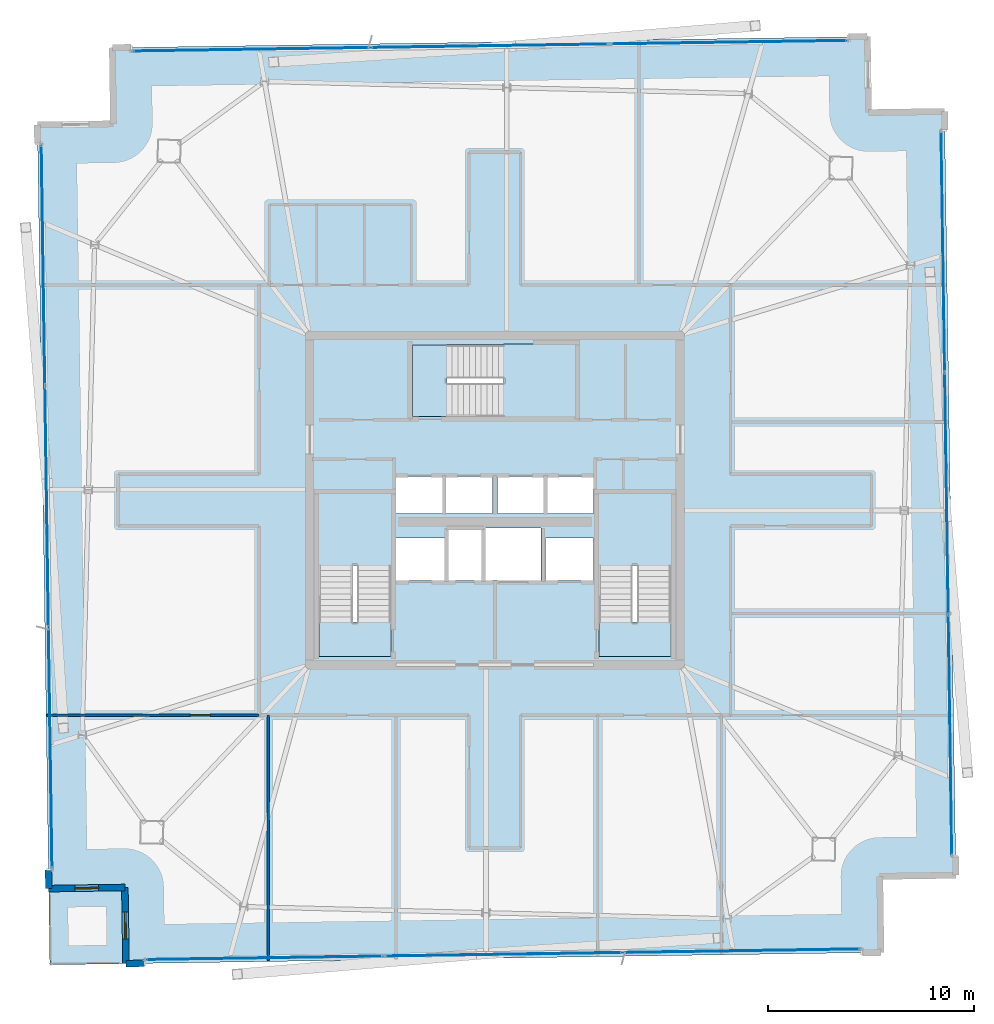
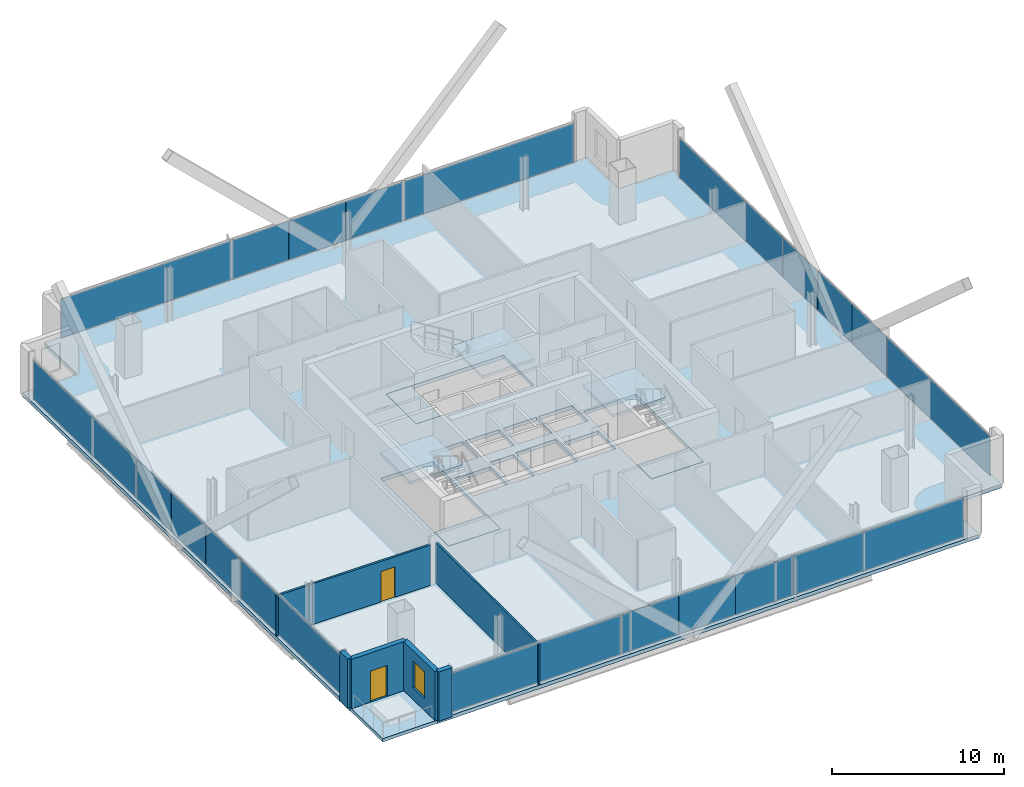
# One storey, part 19 of 25: 20 plates, 8 slabs, 6 walls, 2 doors, 1 window, 3 openings, 7 elements without a shape of their own.
"""IFC4 building model written with IfcOpenShell, lengths in metres."""

from ifc_helpers import new_model, si_unit, direction, frame, frame_2d, origin, origin_2d, place, context, subcontext, project, spatial, polyline, rectangle, outline, extrude, source, transform, mapped, material, layer, layer_set, type_object, element, fill, aggregate, save


model = new_model("IFC4")

# Units and contexts
model_context = context("Model", 3, precision=1e-05, world=origin(), true_north=direction((0.0, 1.0)))
body_context = subcontext(model_context, "Body", "Model", "MODEL_VIEW")
ifc_project = project(units=[si_unit("LENGTHUNIT", "METRE"), si_unit("AREAUNIT", "SQUARE_METRE"), si_unit("VOLUMEUNIT", "CUBIC_METRE"), si_unit("PLANEANGLEUNIT", "RADIAN"), si_unit("MASSUNIT", "GRAM", prefix="KILO")], contexts=[model_context])

# Site, building, storey
site_placement = place(None, origin())
site = spatial("IfcSite", under=ifc_project, at=site_placement, CompositionType="ELEMENT")
building_placement = place(site_placement, origin())
building = spatial("IfcBuilding", under=site, at=building_placement, Name="Haldenkirk Collegiate Tower", CompositionType="ELEMENT")
storey_placement = place(building_placement, frame((0.0, 0.0, 332.699951171875)))
storey = spatial("IfcBuildingStorey", under=building, at=storey_placement, Name="L84", CompositionType="ELEMENT", Elevation=332.699951171875)

# Slab
ifc_material_1 = material(Name="Concrete f'c 40 MPa", Category="concrete")
ifc_layer_1 = layer(ifc_material_1, 0.260009765625)
ifc_layer_set_1 = layer_set([ifc_layer_1], Name="Concrete f'c 40 MPa")
slab_type_1 = type_object("IfcSlabType", Name="SLB-FLR-260", PredefinedType="FLOOR", material=ifc_layer_set_1)
slab_1_placement = place(storey_placement, frame((0.0, 0.0, -0.260009765625)))
element("IfcSlab", 1, at=slab_1_placement, inside=storey, type_object=slab_type_1, Name="L84 composite structural floor slab", PredefinedType="FLOOR", context=body_context, shape_type="SweptSolid", body=[
    extrude(outline(polyline([(58.397705078125, 7.7802734375), (57.847412109375, 44.876220703125), (54.147705078125, 44.8212890625), (54.093017578125, 48.52099609375), (17.421875, 47.976806640625), (17.476806640625, 44.277099609375), (13.777099609375, 44.222412109375), (14.32763671875, 7.12646484375), (18.027099609375, 7.181396484375), (18.08203125, 3.481689453125), (54.7529296875, 4.02587890625), (54.6982421875, 7.725341796875), (58.397705078125, 7.7802734375)]), holes=[polyline([(27.449951171875, 18.39990234375), (30.949951171875, 18.39990234375), (30.949951171875, 26.300048828125), (27.449951171875, 26.300048828125), (27.449951171875, 18.39990234375)]), polyline([(41.050048828125, 18.39990234375), (44.550048828125, 18.39990234375), (44.550048828125, 26.300048828125), (41.050048828125, 26.300048828125), (41.050048828125, 18.39990234375)]), polyline([(32.0, 30.050048828125), (39.89990234375, 30.050048828125), (39.89990234375, 33.550048828125), (32.0, 33.550048828125), (32.0, 30.050048828125)]), polyline([(33.75, 22.10009765625), (35.35009765625, 22.10009765625), (35.35009765625, 24.550048828125), (33.75, 24.550048828125), (33.75, 22.10009765625)]), polyline([(31.199951171875, 25.35009765625), (33.47998046875, 25.35009765625), (33.47998046875, 27.14990234375), (31.199951171875, 27.14990234375), (31.199951171875, 25.35009765625)]), polyline([(33.60009765625, 25.35009765625), (35.8798828125, 25.35009765625), (35.8798828125, 27.14990234375), (33.60009765625, 27.14990234375), (33.60009765625, 25.35009765625)]), polyline([(36.1201171875, 25.35009765625), (38.39990234375, 25.35009765625), (38.39990234375, 27.14990234375), (36.1201171875, 27.14990234375), (36.1201171875, 25.35009765625)]), polyline([(38.52001953125, 25.35009765625), (40.800048828125, 25.35009765625), (40.800048828125, 27.14990234375), (38.52001953125, 27.14990234375), (38.52001953125, 25.35009765625)]), polyline([(31.199951171875, 22.10009765625), (33.550048828125, 22.10009765625), (33.550048828125, 24.14990234375), (31.199951171875, 24.14990234375), (31.199951171875, 22.10009765625)]), polyline([(38.449951171875, 22.10009765625), (40.800048828125, 22.10009765625), (40.800048828125, 24.14990234375), (38.449951171875, 24.14990234375), (38.449951171875, 22.10009765625)]), polyline([(35.550048828125, 22.10009765625), (38.25, 22.10009765625), (38.25, 24.64990234375), (35.550048828125, 24.64990234375), (35.550048828125, 22.10009765625)])]), origin(), (0.0, 0.0, 1.0), 0.260009765625),
])

# Stair, slab
stair_type = type_object("IfcStairType", Name="STR-DOGLEG-1650", PredefinedType="HALF_TURN_STAIR", material=ifc_material_1)
stair_1_placement = place(storey_placement, origin())
stair_1 = element("IfcStair", 2, at=stair_1_placement, inside=storey, type_object=stair_type, Name="L84 Core Exit Stair ST-1", PredefinedType="HALF_TURN_STAIR")
ifc_layer_2 = layer(ifc_material_1, 0.199951171875)
ifc_layer_set_2 = layer_set([ifc_layer_2], Name="Concrete f'c 40 MPa")
slab_type_2 = type_object("IfcSlabType", Name="SLB-LANDING-200", PredefinedType="LANDING", material=ifc_layer_set_2)
slab_2_placement = place(storey_placement, frame((0.0, 0.0, 1.675048828125)))
slab_2 = element("IfcSlab", 3, at=slab_2_placement, type_object=slab_type_2, Name="ST-1 landing 1", PredefinedType="LANDING", context=body_context, shape_type="SweptSolid", body=[
    extrude(outline(polyline([(30.97509765625, 22.824951171875), (27.425048828125, 22.824951171875), (27.425048828125, 26.324951171875), (30.97509765625, 26.324951171875), (30.97509765625, 22.824951171875)])), origin(), (0.0, 0.0, 1.0), 0.199951171875),
])
aggregate(stair_1, [slab_2])

stair_2_placement = place(storey_placement, origin())
stair_2 = element("IfcStair", 4, at=stair_2_placement, inside=storey, type_object=stair_type, Name="L84 Core Exit Stair ST-2", PredefinedType="HALF_TURN_STAIR")
slab_3_placement = place(storey_placement, frame((0.0, 0.0, 1.675048828125)))
slab_3 = element("IfcSlab", 5, at=slab_3_placement, type_object=slab_type_2, Name="ST-2 landing 1", PredefinedType="LANDING", context=body_context, shape_type="SweptSolid", body=[
    extrude(outline(polyline([(44.574951171875, 22.824951171875), (41.02490234375, 22.824951171875), (41.02490234375, 26.324951171875), (44.574951171875, 26.324951171875), (44.574951171875, 22.824951171875)])), origin(), (0.0, 0.0, 1.0), 0.199951171875),
])
aggregate(stair_2, [slab_3])

stair_3_placement = place(storey_placement, origin())
stair_3 = element("IfcStair", 6, at=stair_3_placement, inside=storey, type_object=stair_type, Name="L84 Core Exit Stair ST-3", PredefinedType="HALF_TURN_STAIR")
slab_4_placement = place(storey_placement, frame((0.0, 0.0, 1.675048828125)))
slab_4 = element("IfcSlab", 7, at=slab_4_placement, type_object=slab_type_2, Name="ST-3 landing 1", PredefinedType="LANDING", context=body_context, shape_type="SweptSolid", body=[
    extrude(outline(polyline([(36.425048828125, 30.02490234375), (36.425048828125, 33.574951171875), (39.925048828125, 33.574951171875), (39.925048828125, 30.02490234375), (36.425048828125, 30.02490234375)])), origin(), (0.0, 0.0, 1.0), 0.199951171875),
])
aggregate(stair_3, [slab_4])

# Slabs
ifc_layer_3 = layer(ifc_material_1, 0.25)
ifc_layer_set_3 = layer_set([ifc_layer_3], Name="Concrete f'c 40 MPa")
slab_type_3 = type_object("IfcSlabType", Name="SLB-STAIRLAND-250", PredefinedType="LANDING", material=ifc_layer_set_3)
slab_5_placement = place(storey_placement, frame((0.0, 0.0, -0.25)))
element("IfcSlab", 8, at=slab_5_placement, inside=storey, type_object=slab_type_3, Name="L84 stair ST1 structural floor landing slab", PredefinedType="LANDING", context=body_context, shape_type="SweptSolid", body=[
    extrude(outline(polyline([(27.4599609375, 18.409912109375), (30.93994140625, 18.409912109375), (30.93994140625, 20.080078125), (27.4599609375, 20.080078125), (27.4599609375, 18.409912109375)])), origin(), (0.0, 0.0, 1.0), 0.25),
])
slab_6_placement = place(storey_placement, frame((0.0, 0.0, -0.25)))
element("IfcSlab", 9, at=slab_6_placement, inside=storey, type_object=slab_type_3, Name="L84 stair ST2 structural floor landing slab", PredefinedType="LANDING", context=body_context, shape_type="SweptSolid", body=[
    extrude(outline(polyline([(41.06005859375, 18.409912109375), (44.5400390625, 18.409912109375), (44.5400390625, 20.080078125), (41.06005859375, 20.080078125), (41.06005859375, 18.409912109375)])), origin(), (0.0, 0.0, 1.0), 0.25),
])
slab_7_placement = place(storey_placement, frame((0.0, 0.0, -0.25)))
element("IfcSlab", 10, at=slab_7_placement, inside=storey, type_object=slab_type_3, Name="L84 stair ST3 structural floor landing slab", PredefinedType="LANDING", context=body_context, shape_type="SweptSolid", body=[
    extrude(outline(polyline([(32.010009765625, 30.06005859375), (33.679931640625, 30.06005859375), (33.679931640625, 33.5400390625), (32.010009765625, 33.5400390625), (32.010009765625, 30.06005859375)])), origin(), (0.0, 0.0, 1.0), 0.25),
])
ifc_layer_4 = layer(ifc_material_1, 0.22998046875)
ifc_layer_set_4 = layer_set([ifc_layer_4], Name="Concrete f'c 40 MPa")
slab_type_4 = type_object("IfcSlabType", Name="SLB-TERR-SPIRAL-230", PredefinedType="FLOOR", material=ifc_layer_set_4)
slab_8_placement = place(storey_placement, frame((0.0, 0.0, -0.22998046875)))
element("IfcSlab", 11, at=slab_8_placement, inside=storey, type_object=slab_type_4, Name="L84 spiralling corner terrace slab", PredefinedType="FLOOR", context=body_context, shape_type="SweptSolid", body=[
    extrude(outline(polyline([(18.08203125, 3.481689453125), (18.027099609375, 7.181396484375), (14.32763671875, 7.12646484375), (14.382568359375, 3.4267578125), (18.08203125, 3.481689453125)])), origin(), (0.0, 0.0, 1.0), 0.22998046875),
])

# Curtain wall, plates
ifc_material_2 = material(Name="Anodised architectural bronze aluminium", Category="aluminium")
curtain_wall_type_1 = type_object("IfcCurtainWallType", Name="CW-SYS2-CONCAVE", PredefinedType="USERDEFINED", material=ifc_material_2)
curtain_wall_1_placement = place(storey_placement, origin())
curtain_wall_1 = element("IfcCurtainWall", 12, at=curtain_wall_1_placement, inside=storey, type_object=curtain_wall_type_1, Name="L84 South concave recessed bronze-anodised curtain wall", ObjectType="UNITISED CURTAIN WALL", PredefinedType="USERDEFINED")
ifc_material_3 = material(Name="Bronze-anodised insulated aluminium spandrel panel", Category="aluminium")
ifc_layer_5 = layer(ifc_material_3, 0.0419921875)
ifc_layer_set_5 = layer_set([ifc_layer_5], Name="Bronze-anodised insulated aluminium spandrel panel")
plate_type_1 = type_object("IfcPlateType", Name="CW-SPD-02", PredefinedType="CURTAIN_PANEL", material=ifc_layer_set_5)
shared_shape_1 = source(origin(), body_context, "Body", "SweptSolid", [
    extrude(rectangle(XDim=3.872314453125, YDim=0.0419921875, at=origin_2d()), origin(), (0.0, 0.0, 1.0), 2.798095703125),
])
plate_1_placement = place(storey_placement, frame((57.942626953125, 26.32568359375, 0.0751953125), z_axis=(0.0, 0.0, 1.0), x_axis=(0.014832868138, -0.99988998696, 0.0)))
plate_1 = element("IfcPlate", 13, at=plate_1_placement, type_object=plate_type_1, Name="CW-02 spandrel panel 2.1b", PredefinedType="CURTAIN_PANEL", context=body_context, shape_type="MappedRepresentation", body=[
    mapped(shared_shape_1, transform((0.0, 0.0, 0.0), x_axis=(1.0, 0.0, 0.0), y_axis=(0.0, 1.0, 0.0), z_axis=(0.0, 0.0, 1.0), scale=1.0)),
])
shared_shape_2 = source(origin(), body_context, "Body", "SweptSolid", [
    extrude(rectangle(XDim=3.884765625, YDim=0.0419921875, at=origin_2d()), origin(), (0.0, 0.0, 1.0), 2.798095703125),
])
plate_2_placement = place(storey_placement, frame((57.884765625, 30.228515625, 0.0751953125), z_axis=(0.0, 0.0, 1.0), x_axis=(0.014832868138, -0.99988998696, 0.0)))
plate_2 = element("IfcPlate", 14, at=plate_2_placement, type_object=plate_type_1, Name="CW-02 spandrel panel 2.1a", PredefinedType="CURTAIN_PANEL", context=body_context, shape_type="MappedRepresentation", body=[
    mapped(shared_shape_2, transform((0.0, 0.0, 0.0), x_axis=(1.0, 0.0, 0.0), y_axis=(0.0, 1.0, 0.0), z_axis=(0.0, 0.0, 1.0), scale=1.0)),
])
plate_3_placement = place(storey_placement, frame((58.00048828125, 22.422607421875, 0.0751953125), z_axis=(0.0, 0.0, 1.0), x_axis=(0.014832868138, -0.99988998696, 0.0)))
plate_3 = element("IfcPlate", 15, at=plate_3_placement, type_object=plate_type_1, Name="CW-02 spandrel panel 2.1c", PredefinedType="CURTAIN_PANEL", context=body_context, shape_type="MappedRepresentation", body=[
    mapped(shared_shape_2, transform((0.0, 0.0, 0.0), x_axis=(1.0, 0.0, 0.0), y_axis=(0.0, 1.0, 0.0), z_axis=(0.0, 0.0, 1.0), scale=1.0)),
])

curtain_wall_type_2 = type_object("IfcCurtainWallType", Name="CW-SYS1B-CONVEX-HI", PredefinedType="USERDEFINED", material=ifc_material_2)
curtain_wall_2_placement = place(storey_placement, origin())
curtain_wall_2 = element("IfcCurtainWall", 16, at=curtain_wall_2_placement, inside=storey, type_object=curtain_wall_type_2, Name="L84 Upper tower high-wind convex bronze unitised curtain wall", ObjectType="UNITISED CURTAIN WALL", PredefinedType="USERDEFINED")
ifc_layer_6 = layer(ifc_material_3, 0.048095703125)
ifc_layer_set_6 = layer_set([ifc_layer_6], Name="Bronze-anodised insulated aluminium spandrel panel")
plate_type_2 = type_object("IfcPlateType", Name="CW-SPD-1B", PredefinedType="CURTAIN_PANEL", material=ifc_layer_set_6)
shared_shape_3 = source(origin(), body_context, "Body", "SweptSolid", [
    extrude(rectangle(XDim=3.834228515625, YDim=0.048095703125, at=origin_2d()), origin(), (0.0, 0.0, 1.0), 2.778076171875),
])
plate_4_placement = place(storey_placement, frame((31.90771484375, 48.01171875, 0.0849609375), z_axis=(0.0, 0.0, 1.0), x_axis=(0.999889985608, 0.014832959269, 0.0)))
plate_4 = element("IfcPlate", 17, at=plate_4_placement, type_object=plate_type_2, Name="CW-1B spandrel panel 2.1a", PredefinedType="CURTAIN_PANEL", context=body_context, shape_type="MappedRepresentation", body=[
    mapped(shared_shape_3, transform((0.0, 0.0, 0.0), x_axis=(1.0, 0.0, 0.0), y_axis=(0.0, 1.0, 0.0), z_axis=(0.0, 0.0, 1.0), scale=1.0)),
])
plate_5_placement = place(storey_placement, frame((39.612548828125, 48.1259765625, 0.0849609375), z_axis=(0.0, 0.0, 1.0), x_axis=(0.999889985608, 0.014832959269, 0.0)))
plate_5 = element("IfcPlate", 18, at=plate_5_placement, type_object=plate_type_2, Name="CW-1B spandrel panel 2.1c", PredefinedType="CURTAIN_PANEL", context=body_context, shape_type="MappedRepresentation", body=[
    mapped(shared_shape_3, transform((0.0, 0.0, 0.0), x_axis=(1.0, 0.0, 0.0), y_axis=(0.0, 1.0, 0.0), z_axis=(0.0, 0.0, 1.0), scale=1.0)),
])

curtain_wall_3_placement = place(storey_placement, origin())
curtain_wall_3 = element("IfcCurtainWall", 19, at=curtain_wall_3_placement, inside=storey, type_object=curtain_wall_type_2, Name="L84 Upper tower high-wind convex bronze unitised curtain wall", ObjectType="UNITISED CURTAIN WALL", PredefinedType="USERDEFINED")
plate_6_placement = place(storey_placement, frame((40.267333984375, 3.990966796875, 0.0849609375), z_axis=(0.0, 0.0, 1.0), x_axis=(-0.999889984977, -0.014833001798, 0.0)))
plate_6 = element("IfcPlate", 20, at=plate_6_placement, type_object=plate_type_2, Name="CW-1B spandrel panel 2.1a", PredefinedType="CURTAIN_PANEL", context=body_context, shape_type="MappedRepresentation", body=[
    mapped(shared_shape_3, transform((0.0, 0.0, 0.0), x_axis=(1.0, 0.0, 0.0), y_axis=(0.0, 1.0, 0.0), z_axis=(0.0, 0.0, 1.0), scale=1.0)),
])
plate_7_placement = place(storey_placement, frame((32.5625, 3.876708984375, 0.0849609375), z_axis=(0.0, 0.0, 1.0), x_axis=(-0.999889984977, -0.014833001798, 0.0)))
plate_7 = element("IfcPlate", 21, at=plate_7_placement, type_object=plate_type_2, Name="CW-1B spandrel panel 2.1c", PredefinedType="CURTAIN_PANEL", context=body_context, shape_type="MappedRepresentation", body=[
    mapped(shared_shape_3, transform((0.0, 0.0, 0.0), x_axis=(1.0, 0.0, 0.0), y_axis=(0.0, 1.0, 0.0), z_axis=(0.0, 0.0, 1.0), scale=1.0)),
])

# Plate
shared_shape_4 = source(origin(), body_context, "Body", "SweptSolid", [
    extrude(rectangle(XDim=3.82177734375, YDim=0.048095703125, at=origin_2d()), origin(), (0.0, 0.0, 1.0), 2.778076171875),
])
plate_8_placement = place(storey_placement, frame((35.760009765625, 48.06884765625, 0.0849609375), z_axis=(0.0, 0.0, 1.0), x_axis=(0.999889985608, 0.014832959269, 0.0)))
plate_8 = element("IfcPlate", 22, at=plate_8_placement, type_object=plate_type_2, Name="CW-1B spandrel panel 2.1b", PredefinedType="CURTAIN_PANEL", context=body_context, shape_type="MappedRepresentation", body=[
    mapped(shared_shape_4, transform((0.0, 0.0, 0.0), x_axis=(1.0, 0.0, 0.0), y_axis=(0.0, 1.0, 0.0), z_axis=(0.0, 0.0, 1.0), scale=1.0)),
])

plate_9_placement = place(storey_placement, frame((36.414794921875, 3.933837890625, 0.0849609375), z_axis=(0.0, 0.0, 1.0), x_axis=(-0.999889984977, -0.014833001798, 0.0)))
plate_9 = element("IfcPlate", 23, at=plate_9_placement, type_object=plate_type_2, Name="CW-1B spandrel panel 2.1b", PredefinedType="CURTAIN_PANEL", context=body_context, shape_type="MappedRepresentation", body=[
    mapped(shared_shape_4, transform((0.0, 0.0, 0.0), x_axis=(1.0, 0.0, 0.0), y_axis=(0.0, 1.0, 0.0), z_axis=(0.0, 0.0, 1.0), scale=1.0)),
])

# Curtain wall, plates
curtain_wall_4_placement = place(storey_placement, origin())
curtain_wall_4 = element("IfcCurtainWall", 24, at=curtain_wall_4_placement, inside=storey, type_object=curtain_wall_type_2, Name="L84 Upper tower high-wind convex bronze unitised curtain wall", ObjectType="UNITISED CURTAIN WALL", PredefinedType="USERDEFINED")
shared_shape_5 = source(origin(), body_context, "Body", "SweptSolid", [
    extrude(rectangle(XDim=3.88134765625, YDim=0.048095703125, at=origin_2d()), origin(), (0.0, 0.0, 1.0), 2.778076171875),
])
plate_10_placement = place(storey_placement, frame((14.290283203125, 21.77734375, 0.0849609375), z_axis=(0.0, 0.0, 1.0), x_axis=(-0.014832868138, 0.99988998696, 0.0)))
plate_10 = element("IfcPlate", 25, at=plate_10_placement, type_object=plate_type_2, Name="CW-1B spandrel panel 2.1a", PredefinedType="CURTAIN_PANEL", context=body_context, shape_type="MappedRepresentation", body=[
    mapped(shared_shape_5, transform((0.0, 0.0, 0.0), x_axis=(1.0, 0.0, 0.0), y_axis=(0.0, 1.0, 0.0), z_axis=(0.0, 0.0, 1.0), scale=1.0)),
])
plate_11_placement = place(storey_placement, frame((14.174560546875, 29.576904296875, 0.0849609375), z_axis=(0.0, 0.0, 1.0), x_axis=(-0.014832868138, 0.99988998696, 0.0)))
plate_11 = element("IfcPlate", 26, at=plate_11_placement, type_object=plate_type_2, Name="CW-1B spandrel panel 2.1c", PredefinedType="CURTAIN_PANEL", context=body_context, shape_type="MappedRepresentation", body=[
    mapped(shared_shape_5, transform((0.0, 0.0, 0.0), x_axis=(1.0, 0.0, 0.0), y_axis=(0.0, 1.0, 0.0), z_axis=(0.0, 0.0, 1.0), scale=1.0)),
])
shared_shape_6 = source(origin(), body_context, "Body", "SweptSolid", [
    extrude(rectangle(XDim=3.868896484375, YDim=0.048095703125, at=origin_2d()), origin(), (0.0, 0.0, 1.0), 2.778076171875),
])
plate_12_placement = place(storey_placement, frame((14.232421875, 25.677001953125, 0.0849609375), z_axis=(0.0, 0.0, 1.0), x_axis=(-0.014832868138, 0.99988998696, 0.0)))
plate_12 = element("IfcPlate", 27, at=plate_12_placement, type_object=plate_type_2, Name="CW-1B spandrel panel 2.1b", PredefinedType="CURTAIN_PANEL", context=body_context, shape_type="MappedRepresentation", body=[
    mapped(shared_shape_6, transform((0.0, 0.0, 0.0), x_axis=(1.0, 0.0, 0.0), y_axis=(0.0, 1.0, 0.0), z_axis=(0.0, 0.0, 1.0), scale=1.0)),
])

# Plate
ifc_material_4 = material(Name="Low-E argon triple insulating glass", Category="glass")
ifc_layer_7 = layer(ifc_material_4, 0.0419921875)
ifc_layer_set_7 = layer_set([ifc_layer_7], Name="Low-E argon triple insulating glass")
plate_type_3 = type_object("IfcPlateType", Name="CW-PNL-02", PredefinedType="CURTAIN_PANEL", material=ifc_layer_set_7)
shared_shape_7 = source(origin(), body_context, "Body", "SweptSolid", [
    extrude(rectangle(XDim=11.654052734375, YDim=0.0419921875, at=origin_2d()), origin(), (0.0, 0.0, 1.0), 2.798095703125),
])
plate_13_placement = place(storey_placement, frame((57.768310546875, 38.072265625, 0.0751953125), z_axis=(0.0, 0.0, 1.0), x_axis=(0.014832868138, -0.99988998696, 0.0)))
plate_13 = element("IfcPlate", 28, at=plate_13_placement, type_object=plate_type_3, Name="CW-02 panel 1.1", PredefinedType="CURTAIN_PANEL", context=body_context, shape_type="MappedRepresentation", body=[
    mapped(shared_shape_7, transform((0.0, 0.0, 0.0), x_axis=(1.0, 0.0, 0.0), y_axis=(0.0, 1.0, 0.0), z_axis=(0.0, 0.0, 1.0), scale=1.0)),
])

plate_14_placement = place(storey_placement, frame((58.116943359375, 14.578857421875, 0.0751953125), z_axis=(0.0, 0.0, 1.0), x_axis=(0.014832868138, -0.99988998696, 0.0)))
plate_14 = element("IfcPlate", 29, at=plate_14_placement, type_object=plate_type_3, Name="CW-02 panel 3.1", PredefinedType="CURTAIN_PANEL", context=body_context, shape_type="MappedRepresentation", body=[
    mapped(shared_shape_7, transform((0.0, 0.0, 0.0), x_axis=(1.0, 0.0, 0.0), y_axis=(0.0, 1.0, 0.0), z_axis=(0.0, 0.0, 1.0), scale=1.0)),
])

aggregate(curtain_wall_1, [plate_13, plate_2, plate_1, plate_3, plate_14])

ifc_layer_8 = layer(ifc_material_4, 0.048095703125)
ifc_layer_set_8 = layer_set([ifc_layer_8], Name="Low-E argon triple insulating glass")
plate_type_4 = type_object("IfcPlateType", Name="CW-PNL-1B", PredefinedType="CURTAIN_PANEL", material=ifc_layer_set_8)
shared_shape_8 = source(origin(), body_context, "Body", "SweptSolid", [
    extrude(rectangle(XDim=11.49755859375, YDim=0.048095703125, at=origin_2d()), origin(), (0.0, 0.0, 1.0), 2.778076171875),
])
plate_15_placement = place(storey_placement, frame((24.15771484375, 47.896728515625, 0.0849609375), z_axis=(0.0, 0.0, 1.0), x_axis=(0.999889985608, 0.014832959269, 0.0)))
plate_15 = element("IfcPlate", 30, at=plate_15_placement, type_object=plate_type_4, Name="CW-1B panel 1.1", PredefinedType="CURTAIN_PANEL", context=body_context, shape_type="MappedRepresentation", body=[
    mapped(shared_shape_8, transform((0.0, 0.0, 0.0), x_axis=(1.0, 0.0, 0.0), y_axis=(0.0, 1.0, 0.0), z_axis=(0.0, 0.0, 1.0), scale=1.0)),
])

plate_16_placement = place(storey_placement, frame((47.362548828125, 48.240966796875, 0.0849609375), z_axis=(0.0, 0.0, 1.0), x_axis=(0.999889985608, 0.014832959269, 0.0)))
plate_16 = element("IfcPlate", 31, at=plate_16_placement, type_object=plate_type_4, Name="CW-1B panel 3.1", PredefinedType="CURTAIN_PANEL", context=body_context, shape_type="MappedRepresentation", body=[
    mapped(shared_shape_8, transform((0.0, 0.0, 0.0), x_axis=(1.0, 0.0, 0.0), y_axis=(0.0, 1.0, 0.0), z_axis=(0.0, 0.0, 1.0), scale=1.0)),
])

aggregate(curtain_wall_2, [plate_15, plate_4, plate_8, plate_5, plate_16])

plate_17_placement = place(storey_placement, frame((48.017333984375, 4.10595703125, 0.0849609375), z_axis=(0.0, 0.0, 1.0), x_axis=(-0.999889984977, -0.014833001798, 0.0)))
plate_17 = element("IfcPlate", 32, at=plate_17_placement, type_object=plate_type_4, Name="CW-1B panel 1.1", PredefinedType="CURTAIN_PANEL", context=body_context, shape_type="MappedRepresentation", body=[
    mapped(shared_shape_8, transform((0.0, 0.0, 0.0), x_axis=(1.0, 0.0, 0.0), y_axis=(0.0, 1.0, 0.0), z_axis=(0.0, 0.0, 1.0), scale=1.0)),
])

plate_18_placement = place(storey_placement, frame((24.8125, 3.76171875, 0.0849609375), z_axis=(0.0, 0.0, 1.0), x_axis=(-0.999889984977, -0.014833001798, 0.0)))
plate_18 = element("IfcPlate", 33, at=plate_18_placement, type_object=plate_type_4, Name="CW-1B panel 3.1", PredefinedType="CURTAIN_PANEL", context=body_context, shape_type="MappedRepresentation", body=[
    mapped(shared_shape_8, transform((0.0, 0.0, 0.0), x_axis=(1.0, 0.0, 0.0), y_axis=(0.0, 1.0, 0.0), z_axis=(0.0, 0.0, 1.0), scale=1.0)),
])

aggregate(curtain_wall_3, [plate_17, plate_6, plate_9, plate_7, plate_18])

shared_shape_9 = source(origin(), body_context, "Body", "SweptSolid", [
    extrude(rectangle(XDim=11.63916015625, YDim=0.048095703125, at=origin_2d()), origin(), (0.0, 0.0, 1.0), 2.778076171875),
])
plate_19_placement = place(storey_placement, frame((14.40673828125, 13.932861328125, 0.0849609375), z_axis=(0.0, 0.0, 1.0), x_axis=(-0.014832868138, 0.99988998696, 0.0)))
plate_19 = element("IfcPlate", 34, at=plate_19_placement, type_object=plate_type_4, Name="CW-1B panel 1.1", PredefinedType="CURTAIN_PANEL", context=body_context, shape_type="MappedRepresentation", body=[
    mapped(shared_shape_9, transform((0.0, 0.0, 0.0), x_axis=(1.0, 0.0, 0.0), y_axis=(0.0, 1.0, 0.0), z_axis=(0.0, 0.0, 1.0), scale=1.0)),
])

plate_20_placement = place(storey_placement, frame((14.05810546875, 37.421142578125, 0.0849609375), z_axis=(0.0, 0.0, 1.0), x_axis=(-0.014832868138, 0.99988998696, 0.0)))
plate_20 = element("IfcPlate", 35, at=plate_20_placement, type_object=plate_type_4, Name="CW-1B panel 3.1", PredefinedType="CURTAIN_PANEL", context=body_context, shape_type="MappedRepresentation", body=[
    mapped(shared_shape_9, transform((0.0, 0.0, 0.0), x_axis=(1.0, 0.0, 0.0), y_axis=(0.0, 1.0, 0.0), z_axis=(0.0, 0.0, 1.0), scale=1.0)),
])

aggregate(curtain_wall_4, [plate_19, plate_10, plate_12, plate_11, plate_20])

# Wall
ifc_material_5 = material(Name="Precast concrete f'c 40 MPa", Category="concrete")
ifc_layer_9 = layer(ifc_material_5, 0.320068359375)
ifc_layer_set_9 = layer_set([ifc_layer_9], Name="Precast concrete f'c 40 MPa")
wall_type_1 = type_object("IfcWallType", Name="WL-EXT-TWR-320", PredefinedType="STANDARD", material=ifc_layer_set_9)
wall_1_placement = place(storey_placement, frame((14.32763671875, 7.12646484375, 0.0), z_axis=(0.0, 0.0, 1.0), x_axis=(-0.01491966312, 0.999888695632, 0.0)))
element("IfcWall", 36, at=wall_1_placement, inside=storey, type_object=wall_type_1, Name="L84 precast corner pier NL", PredefinedType="STANDARD", context=body_context, shape_type="SweptSolid", body=[
    extrude(rectangle(XDim=0.89990234375, YDim=0.320068359375, at=frame_2d((0.449951171875, 0.0))), origin(), (0.0, 0.0, 1.0), 3.489990234375),
])

# Wall, opening, door
wall_2_placement = place(storey_placement, frame((18.027099609375, 7.181396484375, 0.0), z_axis=(0.0, 0.0, 1.0), x_axis=(-0.999889778584, -0.014846908215, 0.0)))
wall_2 = element("IfcWall", 37, at=wall_2_placement, inside=storey, type_object=wall_type_1, Name="L84 bronze precast notch wall 08", PredefinedType="STANDARD", context=body_context, shape_type="SweptSolid", body=[
    extrude(rectangle(XDim=3.699951171875, YDim=0.320068359375, at=frame_2d((1.85009765625, 0.0))), origin(), (0.0, 0.0, 1.0), 3.489990234375),
])
opening_1_placement = place(wall_2_placement, frame((1.27490234375, 0.0, 0.0)))
opening_1 = element("IfcOpeningElement", 38, at=opening_1_placement, cuts=wall_2, Name="Opening D-ST11", PredefinedType="OPENING", context=body_context, shape_type="SweptSolid", body=[
    extrude(rectangle(XDim=1.14990234375, YDim=2.199951171875, at=frame_2d((0.574951171875, 1.10009765625))), frame((0.0, 0.169921875, 0.0), z_axis=(0.0, -1.0, 0.0), x_axis=(1.0, 0.0, 0.0)), (0.0, 0.0, 1.0), 0.340087890625),
])
ifc_layer_10 = layer(ifc_material_2, 0.080078125)
ifc_layer_set_10 = layer_set([ifc_layer_10], Name="Anodised architectural bronze aluminium")
door_type_1 = type_object("IfcDoorType", Name="DR-EXT-STER-1150", OperationType="NOTDEFINED", PredefinedType="DOOR", material=ifc_layer_set_10)
door_1_placement = place(opening_1_placement, origin())
door_1 = element("IfcDoor", 39, at=door_1_placement, inside=storey, type_object=door_type_1, Name="L84 spiralling terrace door", OperationType="SINGLE_SWING_LEFT", OverallHeight=2.199951171875, OverallWidth=1.14990234375, PredefinedType="DOOR", context=body_context, shape_type="SweptSolid", body=[
    extrude(rectangle(XDim=1.14990234375, YDim=2.199951171875, at=frame_2d((0.574951171875, 1.10009765625))), frame((0.0, 0.02490234375, 0.0), z_axis=(0.0, -1.0, 0.0), x_axis=(1.0, 0.0, 0.0)), (0.0, 0.0, 1.0), 0.050048828125),
])
fill(opening_1, door_1)

# Wall, opening, window
wall_3_placement = place(storey_placement, frame((18.08203125, 3.481689453125, 0.0), z_axis=(0.0, 0.0, 1.0), x_axis=(-0.014845928696, 0.999889793128, 0.0)))
wall_3 = element("IfcWall", 40, at=wall_3_placement, inside=storey, type_object=wall_type_1, Name="L84 bronze precast notch wall 09", PredefinedType="STANDARD", context=body_context, shape_type="SweptSolid", body=[
    extrude(rectangle(XDim=3.7001953125, YDim=0.320068359375, at=frame_2d((1.85009765625, 0.0))), origin(), (0.0, 0.0, 1.0), 3.489990234375),
])
opening_2_placement = place(wall_3_placement, frame((1.199951171875, 0.0, 0.85009765625)))
opening_2 = element("IfcOpeningElement", 41, at=opening_2_placement, cuts=wall_3, Name="Opening W-08", PredefinedType="OPENING", context=body_context, shape_type="SweptSolid", body=[
    extrude(rectangle(XDim=1.300048828125, YDim=1.89990234375, at=frame_2d((0.64990234375, 0.949951171875))), frame((0.0, 0.169921875, 0.0), z_axis=(0.0, -1.0, 0.0), x_axis=(1.0, 0.0, 0.0)), (0.0, 0.0, 1.0), 0.340087890625),
])
ifc_layer_11 = layer(ifc_material_4, 0.090087890625)
ifc_layer_set_11 = layer_set([ifc_layer_11], Name="Low-E argon triple insulating glass")
window_type = type_object("IfcWindowType", Name="WN-Z6-1300X1900", PartitioningType="SINGLE_PANEL", PredefinedType="WINDOW", material=ifc_layer_set_11)
window_placement = place(opening_2_placement, origin())
window = element("IfcWindow", 42, at=window_placement, inside=storey, type_object=window_type, Name="L84 precast-frame academic window 8", OverallHeight=1.89990234375, OverallWidth=1.300048828125, PartitioningType="SINGLE_PANEL", PredefinedType="WINDOW", context=body_context, shape_type="SweptSolid", body=[
    extrude(rectangle(XDim=1.300048828125, YDim=1.89990234375, at=frame_2d((0.64990234375, 0.949951171875))), frame((0.0, 0.030029296875, 0.0), z_axis=(0.0, -1.0, 0.0), x_axis=(1.0, 0.0, 0.0)), (0.0, 0.0, 1.0), 0.06005859375),
])
fill(opening_2, window)

# Wall
wall_4_placement = place(storey_placement, frame((18.98193359375, 3.4951171875, 0.0), z_axis=(0.0, 0.0, 1.0), x_axis=(-0.999888695632, -0.01491966312, 0.0)))
element("IfcWall", 43, at=wall_4_placement, inside=storey, type_object=wall_type_1, Name="L84 precast corner pier WR", PredefinedType="STANDARD", context=body_context, shape_type="SweptSolid", body=[
    extrude(rectangle(XDim=0.89990234375, YDim=0.320068359375, at=frame_2d((0.449951171875, 0.0))), origin(), (0.0, 0.0, 1.0), 3.489990234375),
])

# Wall, opening, door
ifc_material_6 = material(Name="Acoustic fire-rated gypsum partition", Category="concrete")
ifc_layer_12 = layer(ifc_material_6, 0.139892578125)
ifc_layer_set_12 = layer_set([ifc_layer_12], Name="Acoustic fire-rated gypsum partition")
wall_type_2 = type_object("IfcWallType", Name="WL-INT-DIV-140", PredefinedType="PARTITIONING", material=ifc_layer_set_12)
wall_5_placement = place(storey_placement, frame((14.24267578125, 15.550048828125, 0.0), z_axis=(0.0, 0.0, 1.0), x_axis=(1.0, 0.0, 0.0)))
wall_5 = element("IfcWall", 44, at=wall_5_placement, inside=storey, type_object=wall_type_2, Name="L84 interior partition IW-L84-BWS", PredefinedType="PARTITIONING", context=body_context, shape_type="SweptSolid", body=[
    extrude(rectangle(XDim=10.307373046875, YDim=0.139892578125, at=frame_2d((5.15380859375, 0.0))), origin(), (0.0, 0.0, 1.0), 2.8681640625),
])
opening_3_placement = place(wall_5_placement, frame((6.972412109375, 0.0, 0.0)))
opening_3 = element("IfcOpeningElement", 45, at=opening_3_placement, cuts=wall_5, Name="Opening D-12", PredefinedType="OPENING", context=body_context, shape_type="SweptSolid", body=[
    extrude(rectangle(XDim=0.949951171875, YDim=2.14990234375, at=frame_2d((0.47509765625, 1.074951171875))), frame((0.0, 0.079833984375, 0.0), z_axis=(0.0, -1.0, 0.0), x_axis=(1.0, 0.0, 0.0)), (0.0, 0.0, 1.0), 0.159912109375),
])
ifc_material_7 = material(Name="Solid-core architectural oak fire door", Category="wood")
ifc_layer_13 = layer(ifc_material_7, 0.06005859375)
ifc_layer_set_13 = layer_set([ifc_layer_13], Name="Solid-core architectural oak fire door")
door_type_2 = type_object("IfcDoorType", Name="DR-INT-STD-950", OperationType="NOTDEFINED", PredefinedType="DOOR", material=ifc_layer_set_13)
door_2_placement = place(opening_3_placement, origin())
door_2 = element("IfcDoor", 46, at=door_2_placement, inside=storey, type_object=door_type_2, Name="L84 Wet Science Laboratory 1 door", OperationType="SINGLE_SWING_LEFT", OverallHeight=2.14990234375, OverallWidth=0.949951171875, PredefinedType="DOOR", context=body_context, shape_type="SweptSolid", body=[
    extrude(rectangle(XDim=0.949951171875, YDim=2.14990234375, at=frame_2d((0.47509765625, 1.074951171875))), frame((0.0, 0.02490234375, 0.0), z_axis=(0.0, -1.0, 0.0), x_axis=(1.0, 0.0, 0.0)), (0.0, 0.0, 1.0), 0.050048828125),
])
fill(opening_3, door_2)

# Wall
ifc_layer_14 = layer(ifc_material_6, 0.1201171875)
ifc_layer_set_14 = layer_set([ifc_layer_14], Name="Acoustic fire-rated gypsum partition")
wall_type_3 = type_object("IfcWallType", Name="WL-INT-WET-120", PredefinedType="PARTITIONING", material=ifc_layer_set_14)
wall_6_placement = place(storey_placement, frame((25.0, 3.624267578125, 0.0), z_axis=(0.0, 0.0, 1.0), x_axis=(0.0, 1.0, 0.0)))
element("IfcWall", 47, at=wall_6_placement, inside=storey, type_object=wall_type_3, Name="L84 interior partition IW-L84-RS1", PredefinedType="PARTITIONING", context=body_context, shape_type="SweptSolid", body=[
    extrude(rectangle(XDim=11.92578125, YDim=0.1201171875, at=frame_2d((5.962890625, 0.0))), origin(), (0.0, 0.0, 1.0), 2.8681640625),
])

save(model, "model.ifc")
